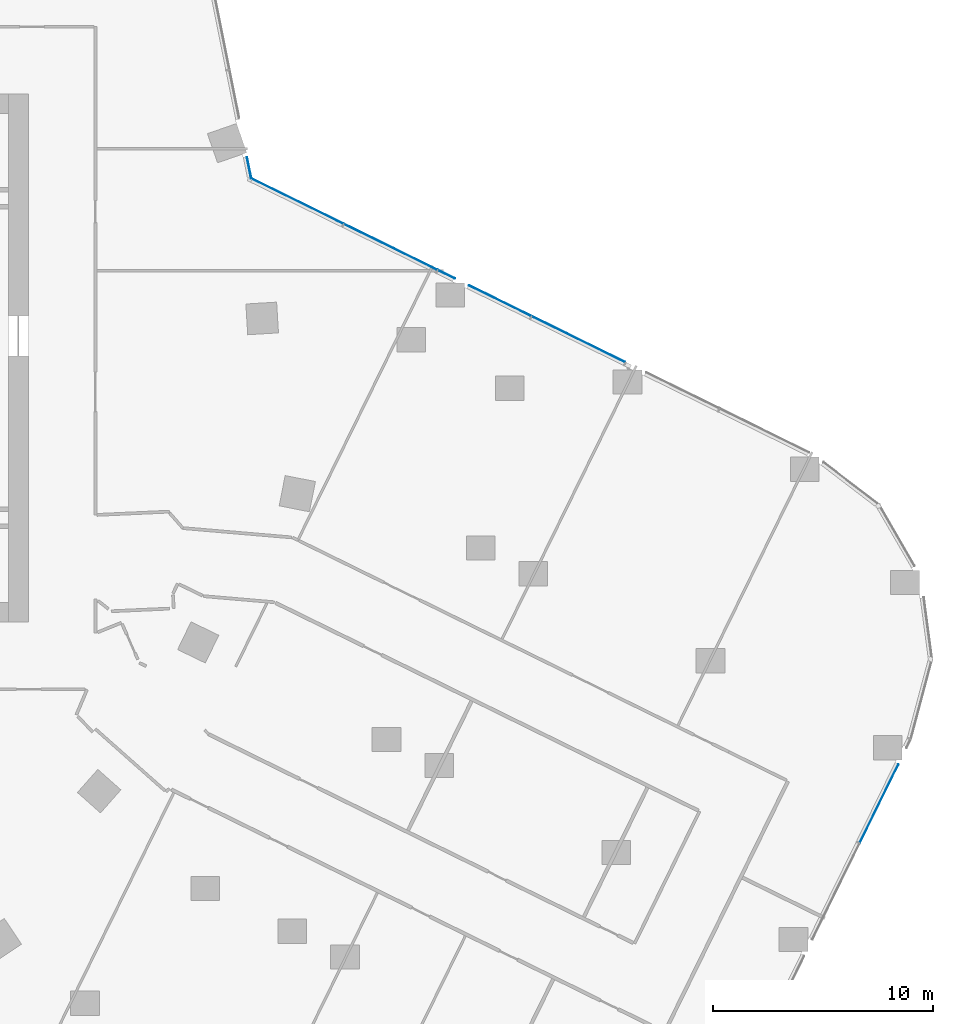
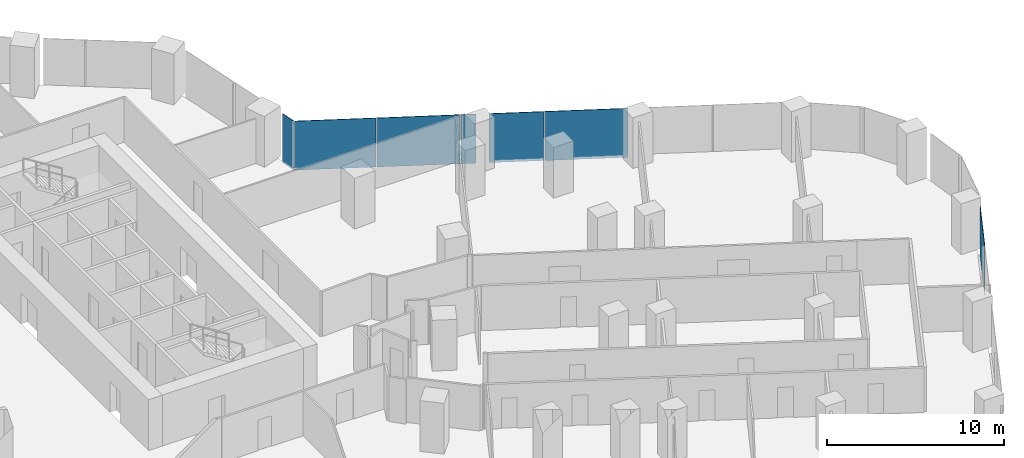
# One storey, part 22 of 38: 7 plates, 3 elements without a shape of their own.
"""IFC4 building model written with IfcOpenShell, lengths in metres."""

import ifcopenshell
import ifcopenshell.guid

model = None  # the IFC model being written
_history = None  # IfcOwnerHistory: only IFC2X3 demands one
_inside = {}  # id of a spatial element -> (the spatial element, [elements in it])
_under = {}  # id of a project, library or spatial element -> (it, [spatial elements below it])
_declared = {}  # id of a project -> (the project, [libraries it declares])
_typed = {}  # id of a type object -> (the type object, [elements of that type])
_made_of = {}  # id of a material, layer set ... -> (it, [elements and type objects made of it])


def new_model(schema):
    """Start an empty IFC model of exactly this schema.

    Asked for "IFC4X3", IfcOpenShell would pick the latest addendum, in which some entities
    have other attributes; the version numbers below select the first issue.
    IFC2X3 requires an IfcOwnerHistory on every rooted entity: one is made here for all.
    """
    global model, _history
    if schema == "IFC4X3":
        model = ifcopenshell.file(schema_version=(4, 3, 0, 0))
    else:
        model = ifcopenshell.file(schema=schema)
    _inside.clear()
    _under.clear()
    _declared.clear()
    _typed.clear()
    _made_of.clear()
    _history = None
    if model.schema == "IFC2X3":
        org = make("IfcOrganization", Name="unknown")
        user = make(
            "IfcPersonAndOrganization",
            ThePerson=make("IfcPerson", FamilyName="unknown"),
            TheOrganization=org,
        )
        app = make(
            "IfcApplication",
            ApplicationDeveloper=org,
            Version="unknown",
            ApplicationFullName="unknown",
            ApplicationIdentifier="unknown",
        )
        _history = make(
            "IfcOwnerHistory",
            OwningUser=user,
            OwningApplication=app,
            ChangeAction="ADDED",
            CreationDate=0,
        )
    return model


def make(cls, **values):
    """One entity of the class cls with the attributes given. An attribute that is None is left unset."""
    return model.create_entity(
        cls, **{name: value for name, value in values.items() if value is not None}
    )


def rooted(cls, **values):
    """An entity with a GlobalId (a new one), such as an element, a storey or a relation."""
    return make(cls, GlobalId=ifcopenshell.guid.new(), OwnerHistory=_history, **values)


def si_unit(unit_type, name, prefix=None):
    """IfcSIUnit, for example si_unit("LENGTHUNIT", "METRE", prefix="MILLI")."""
    return make("IfcSIUnit", UnitType=unit_type, Prefix=prefix, Name=name)


def assignment(units):
    """IfcUnitAssignment: the units of a project."""
    return None if units is None else make("IfcUnitAssignment", Units=units)


def point(xyz):
    """IfcCartesianPoint."""
    return None if xyz is None else make("IfcCartesianPoint", Coordinates=xyz)


def direction(xyz):
    """IfcDirection."""
    return None if xyz is None else make("IfcDirection", DirectionRatios=xyz)


def frame(location, z_axis=None, x_axis=None):
    """IfcAxis2Placement3D, a coordinate frame: its origin and axes. An axis left out is left unset."""
    return make(
        "IfcAxis2Placement3D",
        Location=point(location),
        Axis=direction(z_axis),
        RefDirection=direction(x_axis),
    )


def frame_2d(location, x_axis=None):
    """IfcAxis2Placement2D, a coordinate frame in the plane: its origin and x axis."""
    return make(
        "IfcAxis2Placement2D", Location=point(location), RefDirection=direction(x_axis)
    )


def origin():
    """The frame at (0, 0, 0) with its axes left unset."""
    return frame((0.0, 0.0, 0.0))


def origin_2d():
    """The frame at (0, 0) in the plane with its x axis left unset."""
    return frame_2d((0.0, 0.0))


def place(relative_to, where):
    """IfcLocalPlacement: puts the frame where relative to a parent placement (None: the world)."""
    return make(
        "IfcLocalPlacement", PlacementRelTo=relative_to, RelativePlacement=where
    )


def context(
    kind, dimensions, precision=None, world=None, true_north=None, identifier=None
):
    """IfcGeometricRepresentationContext, for example the 3D "Model" context."""
    return make(
        "IfcGeometricRepresentationContext",
        ContextIdentifier=identifier,
        ContextType=kind,
        CoordinateSpaceDimension=dimensions,
        Precision=precision,
        WorldCoordinateSystem=world,
        TrueNorth=true_north,
    )


def subcontext(parent, identifier, kind, view, scale=None):
    """IfcGeometricRepresentationSubContext, for example "Body" below "Model"."""
    return make(
        "IfcGeometricRepresentationSubContext",
        ContextIdentifier=identifier,
        ContextType=kind,
        ParentContext=parent,
        TargetScale=scale,
        TargetView=view,
    )


def project(units=None, contexts=None):
    """IfcProject with its units and contexts."""
    return rooted(
        "IfcProject",
        Name="project",
        RepresentationContexts=contexts,
        UnitsInContext=assignment(units),
    )


def spatial(cls, under=None, at=None, **own):
    """A site, building, storey or space (cls), placed at a placement, below another one or the project."""
    s = rooted(cls, ObjectPlacement=at, **own)
    if under is not None:
        _under.setdefault(under.id(), (under, []))[1].append(s)
    return s


def profile(cls, at=None, kind="AREA", **sizes):
    """A parametric profile (cls). Its sizes go by their IFC names, for example OverallWidth=200.0."""
    return make(cls, ProfileType=kind, Position=at, **sizes)


def rectangle(**sizes):
    """IfcRectangleProfileDef."""
    return profile("IfcRectangleProfileDef", **sizes)


def extrude(swept, where, along, depth):
    """IfcExtrudedAreaSolid: the profile swept, set in the frame where, extruded along a direction by depth."""
    return make(
        "IfcExtrudedAreaSolid",
        SweptArea=swept,
        Position=where,
        ExtrudedDirection=direction(along),
        Depth=depth,
    )


def shape(context_of_items, identifier, shape_type, items):
    """IfcShapeRepresentation: the items that make up one representation, for example the "Body"."""
    return make(
        "IfcShapeRepresentation",
        ContextOfItems=context_of_items,
        RepresentationIdentifier=identifier,
        RepresentationType=shape_type,
        Items=items,
    )


def material(Name=None, Category=None):
    """IfcMaterial."""
    return make("IfcMaterial", Name=Name, Category=Category)


def layer(
    of_material, thickness, ventilated=None, Name=None, Category=None, Priority=None
):
    """IfcMaterialLayer: one layer of a wall or slab, of a material (None: an air gap)."""
    return make(
        "IfcMaterialLayer",
        Material=of_material,
        LayerThickness=thickness,
        IsVentilated=ventilated,
        Name=Name,
        Category=Category,
        Priority=Priority,
    )


def layer_set(layers, Name=None):
    """IfcMaterialLayerSet."""
    return make("IfcMaterialLayerSet", MaterialLayers=layers, LayerSetName=Name)


def made_of(thing, what):
    """Note that an element or type object is made of a material, layer set ...; save() writes the relation."""
    if what is not None:
        _made_of.setdefault(what.id(), (what, []))[1].append(thing)
    return thing


def type_object(cls, material=None, **own):
    """A type object (cls), such as IfcWallType, which elements share."""
    return made_of(rooted(cls, **own), material)


def element(
    cls,
    number,
    at=None,
    inside=None,
    cuts=None,
    type_object=None,
    material=None,
    context=None,
    identifier="Body",
    shape_type=None,
    held_by="IfcProductDefinitionShape",
    body=None,
    shapes=None,
    **own,
):
    """One element of the class cls, such as IfcWall. Its Tag is "e" and its number.

    at: its placement. inside: the storey or other place that contains it. cuts: it is an
    opening in that element (IfcRelVoidsElement). A single representation is given by context,
    identifier, shape_type and body (its items); several are given by shapes. held_by: the class
    of the entity that holds the representations. save() writes the other relations.
    """
    e = rooted(cls, Tag="e%d" % number, ObjectPlacement=at, **own)
    if body is not None:
        shapes = [shape(context, identifier, shape_type, body)]
    if shapes is not None:
        e.Representation = make(held_by, Representations=shapes)
    if inside is not None:
        _inside.setdefault(inside.id(), (inside, []))[1].append(e)
    if cuts is not None:
        rooted(
            "IfcRelVoidsElement", RelatingBuildingElement=cuts, RelatedOpeningElement=e
        )
    if type_object is not None:
        _typed.setdefault(type_object.id(), (type_object, []))[1].append(e)
    return made_of(e, material)


def aggregate(whole, parts):
    """IfcRelAggregates: a whole, such as a stair, and the parts it consists of."""
    return rooted("IfcRelAggregates", RelatingObject=whole, RelatedObjects=parts)


def save(model, path):
    """Write the relations noted so far, then the file.

    IfcRelAggregates (storeys below a building ...), IfcRelContainedInSpatialStructure (elements
    in a storey), IfcRelDefinesByType, IfcRelAssociatesMaterial and IfcRelDeclares: one each for
    every whole, place, type object, material and project.
    """
    for whole, parts in _under.values():
        aggregate(whole, parts)
    for where, things in _inside.values():
        rooted(
            "IfcRelContainedInSpatialStructure",
            RelatedElements=things,
            RelatingStructure=where,
        )
    for kind, things in _typed.values():
        rooted("IfcRelDefinesByType", RelatedObjects=things, RelatingType=kind)
    for what, things in _made_of.values():
        rooted("IfcRelAssociatesMaterial", RelatedObjects=things, RelatingMaterial=what)
    for by, libraries in _declared.values():
        rooted("IfcRelDeclares", RelatingContext=by, RelatedDefinitions=libraries)
    model.write(path)


model = new_model("IFC4")

# Units and contexts
model_context = context("Model", 3, precision=1e-05, world=origin(), true_north=direction((0.0, 1.0)))
body_context = subcontext(model_context, "Body", "Model", "MODEL_VIEW")
ifc_project = project(units=[si_unit("LENGTHUNIT", "METRE"), si_unit("AREAUNIT", "SQUARE_METRE"), si_unit("VOLUMEUNIT", "CUBIC_METRE"), si_unit("PLANEANGLEUNIT", "RADIAN"), si_unit("MASSUNIT", "GRAM", prefix="KILO")], contexts=[model_context])

# Site, building, storey
site_placement = place(None, origin())
site = spatial("IfcSite", under=ifc_project, at=site_placement, CompositionType="ELEMENT")
building_placement = place(site_placement, origin())
building = spatial("IfcBuilding", under=site, at=building_placement, Name="Orlundy Tower", CompositionType="ELEMENT")
storey_placement = place(building_placement, frame((0.0, 0.0, 62.300048828125)))
storey = spatial("IfcBuildingStorey", under=building, at=storey_placement, Name="L14", CompositionType="ELEMENT", Elevation=62.300048828125)

# Curtain wall, plate
ifc_material_1 = material(Name="Aluminium bronze anodised", Category="aluminium")
curtain_wall_type = type_object("IfcCurtainWallType", Name="CW1 wall", PredefinedType="NOTDEFINED", material=ifc_material_1)
curtain_wall_1_placement = place(storey_placement, origin())
curtain_wall_1 = element("IfcCurtainWall", 1, at=curtain_wall_1_placement, inside=storey, type_object=curtain_wall_type, Name="CW1 run 017", PredefinedType="NOTDEFINED")
ifc_material_2 = material(Name="Tinted glass", Category="glass")
ifc_layer = layer(ifc_material_2, 0.031982421875)
ifc_layer_set = layer_set([ifc_layer], Name="CW1 glass panel 32")
plate_type = type_object("IfcPlateType", Name="CW1 glass panel 32", PredefinedType="CURTAIN_PANEL", material=ifc_layer_set)
plate_1_placement = place(storey_placement, frame((29.032958984375, 8.63720703125, -0.280029296875), z_axis=(0.0, 0.0, 1.0), x_axis=(0.196529373401, -0.980497937474, 0.0)))
plate_1 = element("IfcPlate", 2, at=plate_1_placement, type_object=plate_type, Name="CW1 panel", PredefinedType="CURTAIN_PANEL", context=body_context, shape_type="SweptSolid", body=[
    extrude(rectangle(XDim=0.986572265625, YDim=0.031982421875, at=origin_2d()), origin(), (0.0, 0.0, 1.0), 3.3798828125),
])
aggregate(curtain_wall_1, [plate_1])

# Curtain wall, plates
curtain_wall_2_placement = place(storey_placement, origin())
curtain_wall_2 = element("IfcCurtainWall", 3, at=curtain_wall_2_placement, inside=storey, type_object=curtain_wall_type, Name="CW1 run 018", PredefinedType="NOTDEFINED")
plate_2_placement = place(storey_placement, frame((31.21630859375, 7.12841796875, -0.280029296875), z_axis=(0.0, 0.0, 1.0), x_axis=(0.897517823728, -0.440978180969, 0.0)))
plate_2 = element("IfcPlate", 4, at=plate_2_placement, type_object=plate_type, Name="CW1 panel", PredefinedType="CURTAIN_PANEL", context=body_context, shape_type="SweptSolid", body=[
    extrude(rectangle(XDim=4.6494140625, YDim=0.031982421875, at=origin_2d()), origin(), (0.0, 0.0, 1.0), 3.3798828125),
])
plate_3_placement = place(storey_placement, frame((35.459228515625, 5.043701171875, -0.280029296875), z_axis=(0.0, 0.0, 1.0), x_axis=(0.897517823728, -0.440978180969, 0.0)))
plate_3 = element("IfcPlate", 5, at=plate_3_placement, type_object=plate_type, Name="CW1 panel", PredefinedType="CURTAIN_PANEL", context=body_context, shape_type="SweptSolid", body=[
    extrude(rectangle(XDim=4.705322265625, YDim=0.031982421875, at=origin_2d()), origin(), (0.0, 0.0, 1.0), 3.3798828125),
])
plate_4_placement = place(storey_placement, frame((37.99755859375, 3.796630859375, -0.280029296875), z_axis=(0.0, 0.0, 1.0), x_axis=(0.897517823728, -0.440978180969, 0.0)))
plate_4 = element("IfcPlate", 6, at=plate_4_placement, type_object=plate_type, Name="CW1 panel", PredefinedType="CURTAIN_PANEL", context=body_context, shape_type="SweptSolid", body=[
    extrude(rectangle(XDim=0.850830078125, YDim=0.031982421875, at=origin_2d()), origin(), (0.0, 0.0, 1.0), 3.3798828125),
])
plate_5_placement = place(storey_placement, frame((40.430908203125, 2.60107421875, -0.280029296875), z_axis=(0.0, 0.0, 1.0), x_axis=(0.897517823728, -0.440978180969, 0.0)))
plate_5 = element("IfcPlate", 7, at=plate_5_placement, type_object=plate_type, Name="CW1 panel", PredefinedType="CURTAIN_PANEL", context=body_context, shape_type="SweptSolid", body=[
    extrude(rectangle(XDim=3.137451171875, YDim=0.031982421875, at=origin_2d()), origin(), (0.0, 0.0, 1.0), 3.3798828125),
])
plate_6_placement = place(storey_placement, frame((43.995361328125, 0.849609375, -0.280029296875), z_axis=(0.0, 0.0, 1.0), x_axis=(0.897517823728, -0.440978180969, 0.0)))
plate_6 = element("IfcPlate", 8, at=plate_6_placement, type_object=plate_type, Name="CW1 panel", PredefinedType="CURTAIN_PANEL", context=body_context, shape_type="SweptSolid", body=[
    extrude(rectangle(XDim=4.705322265625, YDim=0.031982421875, at=origin_2d()), origin(), (0.0, 0.0, 1.0), 3.3798828125),
])
aggregate(curtain_wall_2, [plate_2, plate_3, plate_4, plate_5, plate_6])

# Curtain wall, plate
curtain_wall_3_placement = place(storey_placement, origin())
curtain_wall_3 = element("IfcCurtainWall", 9, at=curtain_wall_3_placement, inside=storey, type_object=curtain_wall_type, Name="CW1 run 023", PredefinedType="NOTDEFINED")
plate_7_placement = place(storey_placement, frame((57.647216796875, -20.23828125, -0.280029296875), z_axis=(0.0, 0.0, 1.0), x_axis=(-0.441012235503, -0.897501090883, 0.0)))
plate_7 = element("IfcPlate", 10, at=plate_7_placement, type_object=plate_type, Name="CW1 panel", PredefinedType="CURTAIN_PANEL", context=body_context, shape_type="SweptSolid", body=[
    extrude(rectangle(XDim=3.965087890625, YDim=0.031982421875, at=origin_2d()), origin(), (0.0, 0.0, 1.0), 3.3798828125),
])
aggregate(curtain_wall_3, [plate_7])

save(model, "model.ifc")
